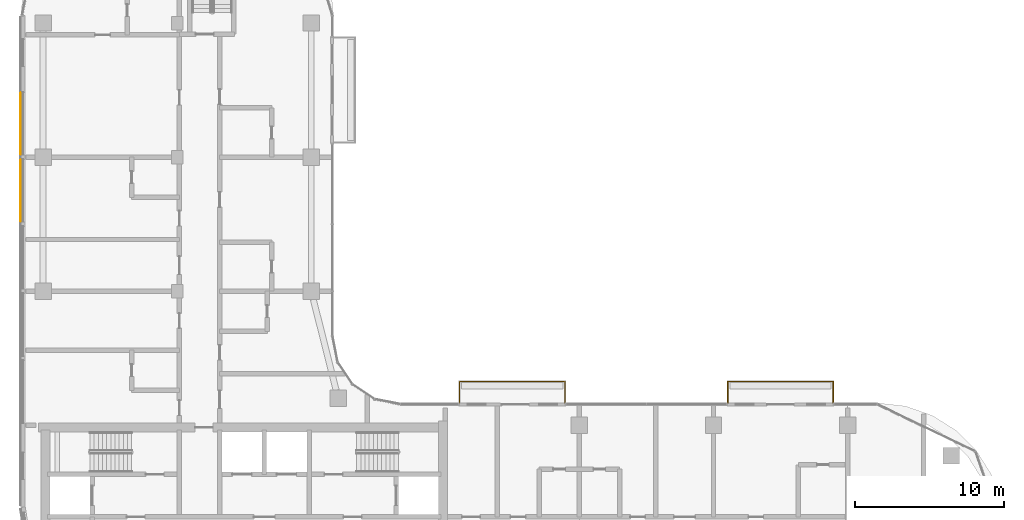
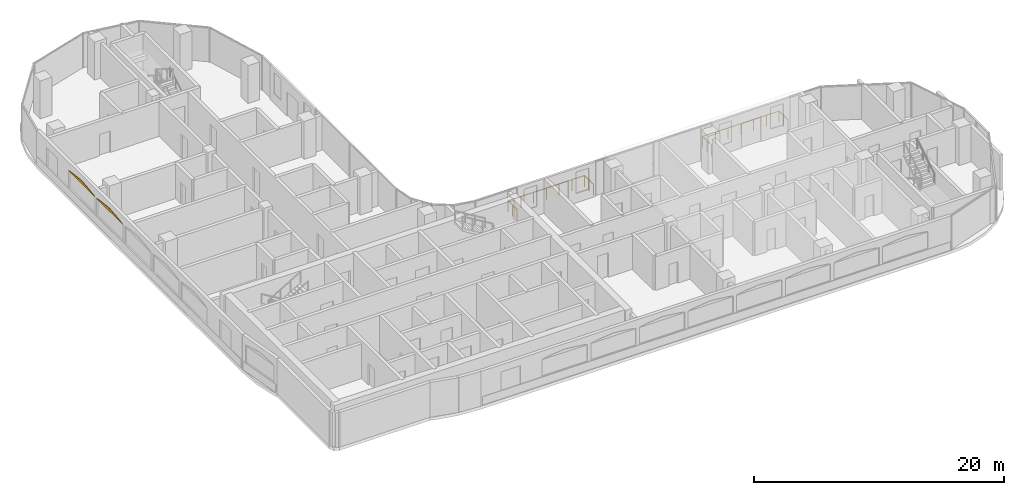
# One storey, part 21 of 22: 2 coverings, 2 railings.
"""IFC4 building model written with IfcOpenShell, lengths in metres."""

import ifcopenshell
import ifcopenshell.guid

model = None  # the IFC model being written
_history = None  # IfcOwnerHistory: only IFC2X3 demands one
_inside = {}  # id of a spatial element -> (the spatial element, [elements in it])
_under = {}  # id of a project, library or spatial element -> (it, [spatial elements below it])
_declared = {}  # id of a project -> (the project, [libraries it declares])
_typed = {}  # id of a type object -> (the type object, [elements of that type])
_made_of = {}  # id of a material, layer set ... -> (it, [elements and type objects made of it])


def new_model(schema):
    """Start an empty IFC model of exactly this schema.

    Asked for "IFC4X3", IfcOpenShell would pick the latest addendum, in which some entities
    have other attributes; the version numbers below select the first issue.
    IFC2X3 requires an IfcOwnerHistory on every rooted entity: one is made here for all.
    """
    global model, _history
    if schema == "IFC4X3":
        model = ifcopenshell.file(schema_version=(4, 3, 0, 0))
    else:
        model = ifcopenshell.file(schema=schema)
    _inside.clear()
    _under.clear()
    _declared.clear()
    _typed.clear()
    _made_of.clear()
    _history = None
    if model.schema == "IFC2X3":
        org = make("IfcOrganization", Name="unknown")
        user = make(
            "IfcPersonAndOrganization",
            ThePerson=make("IfcPerson", FamilyName="unknown"),
            TheOrganization=org,
        )
        app = make(
            "IfcApplication",
            ApplicationDeveloper=org,
            Version="unknown",
            ApplicationFullName="unknown",
            ApplicationIdentifier="unknown",
        )
        _history = make(
            "IfcOwnerHistory",
            OwningUser=user,
            OwningApplication=app,
            ChangeAction="ADDED",
            CreationDate=0,
        )
    return model


def make(cls, **values):
    """One entity of the class cls with the attributes given. An attribute that is None is left unset."""
    return model.create_entity(
        cls, **{name: value for name, value in values.items() if value is not None}
    )


def rooted(cls, **values):
    """An entity with a GlobalId (a new one), such as an element, a storey or a relation."""
    return make(cls, GlobalId=ifcopenshell.guid.new(), OwnerHistory=_history, **values)


def si_unit(unit_type, name, prefix=None):
    """IfcSIUnit, for example si_unit("LENGTHUNIT", "METRE", prefix="MILLI")."""
    return make("IfcSIUnit", UnitType=unit_type, Prefix=prefix, Name=name)


def assignment(units):
    """IfcUnitAssignment: the units of a project."""
    return None if units is None else make("IfcUnitAssignment", Units=units)


def point(xyz):
    """IfcCartesianPoint."""
    return None if xyz is None else make("IfcCartesianPoint", Coordinates=xyz)


def direction(xyz):
    """IfcDirection."""
    return None if xyz is None else make("IfcDirection", DirectionRatios=xyz)


def frame(location, z_axis=None, x_axis=None):
    """IfcAxis2Placement3D, a coordinate frame: its origin and axes. An axis left out is left unset."""
    return make(
        "IfcAxis2Placement3D",
        Location=point(location),
        Axis=direction(z_axis),
        RefDirection=direction(x_axis),
    )


def frame_2d(location, x_axis=None):
    """IfcAxis2Placement2D, a coordinate frame in the plane: its origin and x axis."""
    return make(
        "IfcAxis2Placement2D", Location=point(location), RefDirection=direction(x_axis)
    )


def origin():
    """The frame at (0, 0, 0) with its axes left unset."""
    return frame((0.0, 0.0, 0.0))


def origin_2d():
    """The frame at (0, 0) in the plane with its x axis left unset."""
    return frame_2d((0.0, 0.0))


def place(relative_to, where):
    """IfcLocalPlacement: puts the frame where relative to a parent placement (None: the world)."""
    return make(
        "IfcLocalPlacement", PlacementRelTo=relative_to, RelativePlacement=where
    )


def context(
    kind, dimensions, precision=None, world=None, true_north=None, identifier=None
):
    """IfcGeometricRepresentationContext, for example the 3D "Model" context."""
    return make(
        "IfcGeometricRepresentationContext",
        ContextIdentifier=identifier,
        ContextType=kind,
        CoordinateSpaceDimension=dimensions,
        Precision=precision,
        WorldCoordinateSystem=world,
        TrueNorth=true_north,
    )


def subcontext(parent, identifier, kind, view, scale=None):
    """IfcGeometricRepresentationSubContext, for example "Body" below "Model"."""
    return make(
        "IfcGeometricRepresentationSubContext",
        ContextIdentifier=identifier,
        ContextType=kind,
        ParentContext=parent,
        TargetScale=scale,
        TargetView=view,
    )


def project(units=None, contexts=None):
    """IfcProject with its units and contexts."""
    return rooted(
        "IfcProject",
        Name="project",
        RepresentationContexts=contexts,
        UnitsInContext=assignment(units),
    )


def spatial(cls, under=None, at=None, **own):
    """A site, building, storey or space (cls), placed at a placement, below another one or the project."""
    s = rooted(cls, ObjectPlacement=at, **own)
    if under is not None:
        _under.setdefault(under.id(), (under, []))[1].append(s)
    return s


def polyline(points):
    """IfcPolyline through the points."""
    return make("IfcPolyline", Points=[point(p) for p in points])


def profile(cls, at=None, kind="AREA", **sizes):
    """A parametric profile (cls). Its sizes go by their IFC names, for example OverallWidth=200.0."""
    return make(cls, ProfileType=kind, Position=at, **sizes)


def circle(**sizes):
    """IfcCircleProfileDef."""
    return profile("IfcCircleProfileDef", **sizes)


def outline(outer, holes=None, kind="AREA"):
    """IfcArbitraryClosedProfileDef: a profile drawn as a closed curve; with holes, ...WithVoids."""
    if holes is None:
        return make("IfcArbitraryClosedProfileDef", ProfileType=kind, OuterCurve=outer)
    return make(
        "IfcArbitraryProfileDefWithVoids",
        ProfileType=kind,
        OuterCurve=outer,
        InnerCurves=holes,
    )


def extrude(swept, where, along, depth):
    """IfcExtrudedAreaSolid: the profile swept, set in the frame where, extruded along a direction by depth."""
    return make(
        "IfcExtrudedAreaSolid",
        SweptArea=swept,
        Position=where,
        ExtrudedDirection=direction(along),
        Depth=depth,
    )


def shape(context_of_items, identifier, shape_type, items):
    """IfcShapeRepresentation: the items that make up one representation, for example the "Body"."""
    return make(
        "IfcShapeRepresentation",
        ContextOfItems=context_of_items,
        RepresentationIdentifier=identifier,
        RepresentationType=shape_type,
        Items=items,
    )


def material(Name=None, Category=None):
    """IfcMaterial."""
    return make("IfcMaterial", Name=Name, Category=Category)


def layer(
    of_material, thickness, ventilated=None, Name=None, Category=None, Priority=None
):
    """IfcMaterialLayer: one layer of a wall or slab, of a material (None: an air gap)."""
    return make(
        "IfcMaterialLayer",
        Material=of_material,
        LayerThickness=thickness,
        IsVentilated=ventilated,
        Name=Name,
        Category=Category,
        Priority=Priority,
    )


def layer_set(layers, Name=None):
    """IfcMaterialLayerSet."""
    return make("IfcMaterialLayerSet", MaterialLayers=layers, LayerSetName=Name)


def made_of(thing, what):
    """Note that an element or type object is made of a material, layer set ...; save() writes the relation."""
    if what is not None:
        _made_of.setdefault(what.id(), (what, []))[1].append(thing)
    return thing


def type_object(cls, material=None, **own):
    """A type object (cls), such as IfcWallType, which elements share."""
    return made_of(rooted(cls, **own), material)


def element(
    cls,
    number,
    at=None,
    inside=None,
    cuts=None,
    type_object=None,
    material=None,
    context=None,
    identifier="Body",
    shape_type=None,
    held_by="IfcProductDefinitionShape",
    body=None,
    shapes=None,
    **own,
):
    """One element of the class cls, such as IfcWall. Its Tag is "e" and its number.

    at: its placement. inside: the storey or other place that contains it. cuts: it is an
    opening in that element (IfcRelVoidsElement). A single representation is given by context,
    identifier, shape_type and body (its items); several are given by shapes. held_by: the class
    of the entity that holds the representations. save() writes the other relations.
    """
    e = rooted(cls, Tag="e%d" % number, ObjectPlacement=at, **own)
    if body is not None:
        shapes = [shape(context, identifier, shape_type, body)]
    if shapes is not None:
        e.Representation = make(held_by, Representations=shapes)
    if inside is not None:
        _inside.setdefault(inside.id(), (inside, []))[1].append(e)
    if cuts is not None:
        rooted(
            "IfcRelVoidsElement", RelatingBuildingElement=cuts, RelatedOpeningElement=e
        )
    if type_object is not None:
        _typed.setdefault(type_object.id(), (type_object, []))[1].append(e)
    return made_of(e, material)


def aggregate(whole, parts):
    """IfcRelAggregates: a whole, such as a stair, and the parts it consists of."""
    return rooted("IfcRelAggregates", RelatingObject=whole, RelatedObjects=parts)


def save(model, path):
    """Write the relations noted so far, then the file.

    IfcRelAggregates (storeys below a building ...), IfcRelContainedInSpatialStructure (elements
    in a storey), IfcRelDefinesByType, IfcRelAssociatesMaterial and IfcRelDeclares: one each for
    every whole, place, type object, material and project.
    """
    for whole, parts in _under.values():
        aggregate(whole, parts)
    for where, things in _inside.values():
        rooted(
            "IfcRelContainedInSpatialStructure",
            RelatedElements=things,
            RelatingStructure=where,
        )
    for kind, things in _typed.values():
        rooted("IfcRelDefinesByType", RelatedObjects=things, RelatingType=kind)
    for what, things in _made_of.values():
        rooted("IfcRelAssociatesMaterial", RelatedObjects=things, RelatingMaterial=what)
    for by, libraries in _declared.values():
        rooted("IfcRelDeclares", RelatingContext=by, RelatedDefinitions=libraries)
    model.write(path)


model = new_model("IFC4")

# Units and contexts
model_context = context("Model", 3, precision=1e-05, world=origin(), true_north=direction((0.0, 1.0)))
body_context = subcontext(model_context, "Body", "Model", "MODEL_VIEW")
ifc_project = project(units=[si_unit("LENGTHUNIT", "METRE"), si_unit("AREAUNIT", "SQUARE_METRE"), si_unit("VOLUMEUNIT", "CUBIC_METRE"), si_unit("PLANEANGLEUNIT", "RADIAN"), si_unit("MASSUNIT", "GRAM", prefix="KILO")], contexts=[model_context])

# Site, building, storey
site_placement = place(None, origin())
site = spatial("IfcSite", under=ifc_project, at=site_placement, CompositionType="ELEMENT")
building_placement = place(site_placement, origin())
building = spatial("IfcBuilding", under=site, at=building_placement, Name="Ogive Portal Towers", CompositionType="ELEMENT")
storey_placement = place(building_placement, frame((0.0, 0.0, 145.89990234375)))
storey = spatial("IfcBuildingStorey", under=building, at=storey_placement, Name="L35", CompositionType="ELEMENT", Elevation=145.89990234375)

# Railings
ifc_material_1 = material(Name="Steel S355", Category="steel")
railing_type = type_object("IfcRailingType", Name="BALUSTRADE GLASS 1100", PredefinedType="BALUSTRADE", material=ifc_material_1)
railing_1_placement = place(storey_placement, frame((59.4599609375, 41.0, 0.0)))
element("IfcRailing", 1, at=railing_1_placement, inside=storey, type_object=railing_type, Name="A:L35:bal:T1:rail", PredefinedType="BALUSTRADE", context=body_context, shape_type="SweptSolid", body=[
    extrude(circle(Radius=0.02392578125, at=origin_2d()), frame((0.0, 0.0, 1.076171875), z_axis=(0.0, 1.0, 0.0), x_axis=(-1.0, 0.0, 0.0)), (0.0, 0.0, 1.0), 1.43994140625),
    extrude(circle(Radius=0.02392578125, at=origin_2d()), frame((0.0, 1.43994140625, 1.076171875), z_axis=(1.0, 0.0, 0.0), x_axis=(0.0, 1.0, 0.0)), (0.0, 0.0, 1.0), 7.080078125),
    extrude(circle(Radius=0.02392578125, at=origin_2d()), frame((7.080078125, 1.43994140625, 1.076171875), z_axis=(0.0, -1.0, 0.0), x_axis=(1.0, 0.0, 0.0)), (0.0, 0.0, 1.0), 1.43994140625),
    extrude(circle(Radius=0.02099609375, at=origin_2d()), origin(), (0.0, 0.0, 1.0), 1.052001953125),
    extrude(circle(Radius=0.02099609375, at=origin_2d()), frame((0.0, 0.719970703125, 0.0)), (0.0, 0.0, 1.0), 1.052001953125),
    extrude(circle(Radius=0.02099609375, at=origin_2d()), frame((0.0, 1.43994140625, 0.0)), (0.0, 0.0, 1.0), 1.052001953125),
    extrude(circle(Radius=0.02099609375, at=origin_2d()), frame((1.179931640625, 1.43994140625, 0.0)), (0.0, 0.0, 1.0), 1.052001953125),
    extrude(circle(Radius=0.02099609375, at=origin_2d()), frame((2.360107421875, 1.43994140625, 0.0)), (0.0, 0.0, 1.0), 1.052001953125),
    extrude(circle(Radius=0.02099609375, at=origin_2d()), frame((3.5400390625, 1.43994140625, 0.0)), (0.0, 0.0, 1.0), 1.052001953125),
    extrude(circle(Radius=0.02099609375, at=origin_2d()), frame((4.719970703125, 1.43994140625, 0.0)), (0.0, 0.0, 1.0), 1.052001953125),
    extrude(circle(Radius=0.02099609375, at=origin_2d()), frame((5.900146484375, 1.43994140625, 0.0)), (0.0, 0.0, 1.0), 1.052001953125),
    extrude(circle(Radius=0.02099609375, at=origin_2d()), frame((7.080078125, 1.43994140625, 0.0)), (0.0, 0.0, 1.0), 1.052001953125),
    extrude(circle(Radius=0.02099609375, at=origin_2d()), frame((7.080078125, 0.719970703125, 0.0)), (0.0, 0.0, 1.0), 1.052001953125),
    extrude(circle(Radius=0.02099609375, at=origin_2d()), frame((7.080078125, 0.0, 0.0)), (0.0, 0.0, 1.0), 1.052001953125),
])
railing_2_placement = place(storey_placement, frame((77.4599609375, 41.0, 0.0)))
element("IfcRailing", 2, at=railing_2_placement, inside=storey, type_object=railing_type, Name="A:L35:bal:T3:rail", PredefinedType="BALUSTRADE", context=body_context, shape_type="SweptSolid", body=[
    extrude(circle(Radius=0.02392578125, at=origin_2d()), frame((0.0, 0.0, 1.076171875), z_axis=(0.0, 1.0, 0.0), x_axis=(-1.0, 0.0, 0.0)), (0.0, 0.0, 1.0), 1.43994140625),
    extrude(circle(Radius=0.02392578125, at=origin_2d()), frame((0.0, 1.43994140625, 1.076171875), z_axis=(1.0, 0.0, 0.0), x_axis=(0.0, 1.0, 0.0)), (0.0, 0.0, 1.0), 7.080078125),
    extrude(circle(Radius=0.02392578125, at=origin_2d()), frame((7.080078125, 1.43994140625, 1.076171875), z_axis=(0.0, -1.0, 0.0), x_axis=(1.0, 0.0, 0.0)), (0.0, 0.0, 1.0), 1.43994140625),
    extrude(circle(Radius=0.02099609375, at=origin_2d()), origin(), (0.0, 0.0, 1.0), 1.052001953125),
    extrude(circle(Radius=0.02099609375, at=origin_2d()), frame((0.0, 0.719970703125, 0.0)), (0.0, 0.0, 1.0), 1.052001953125),
    extrude(circle(Radius=0.02099609375, at=origin_2d()), frame((0.0, 1.43994140625, 0.0)), (0.0, 0.0, 1.0), 1.052001953125),
    extrude(circle(Radius=0.02099609375, at=origin_2d()), frame((1.179931640625, 1.43994140625, 0.0)), (0.0, 0.0, 1.0), 1.052001953125),
    extrude(circle(Radius=0.02099609375, at=origin_2d()), frame((2.360107421875, 1.43994140625, 0.0)), (0.0, 0.0, 1.0), 1.052001953125),
    extrude(circle(Radius=0.02099609375, at=origin_2d()), frame((3.5400390625, 1.43994140625, 0.0)), (0.0, 0.0, 1.0), 1.052001953125),
    extrude(circle(Radius=0.02099609375, at=origin_2d()), frame((4.719970703125, 1.43994140625, 0.0)), (0.0, 0.0, 1.0), 1.052001953125),
    extrude(circle(Radius=0.02099609375, at=origin_2d()), frame((5.900146484375, 1.43994140625, 0.0)), (0.0, 0.0, 1.0), 1.052001953125),
    extrude(circle(Radius=0.02099609375, at=origin_2d()), frame((7.080078125, 1.43994140625, 0.0)), (0.0, 0.0, 1.0), 1.052001953125),
    extrude(circle(Radius=0.02099609375, at=origin_2d()), frame((7.080078125, 0.719970703125, 0.0)), (0.0, 0.0, 1.0), 1.052001953125),
    extrude(circle(Radius=0.02099609375, at=origin_2d()), frame((7.080078125, 0.0, 0.0)), (0.0, 0.0, 1.0), 1.052001953125),
])

# Coverings
ifc_material_2 = material(Name="Limestone cladding on lightweight block wall", Category="masonry")
ifc_layer = layer(ifc_material_2, 0.0400390625)
ifc_layer_set = layer_set([ifc_layer], Name="LANCET HEAD STONE")
covering_type = type_object("IfcCoveringType", Name="LANCET HEAD STONE", PredefinedType="CLADDING", material=ifc_layer_set)
for number, where, z_axis, x_axis, name in (
    (3, (30.0, 61.85009765625, 2.60009765625), (0.999948944021, 0.0, 0.010104917167), (0.0, -1.0, 0.0), "Lancet head"),
    (4, (30.0, 57.35009765625, 2.60009765625), (0.999948944021, 0.0, 0.010104917167), (0.0, -1.0, 0.0), "Lancet head"),
):
    element("IfcCovering", number, at=place(storey_placement, frame(where, z_axis=z_axis, x_axis=x_axis)), inside=storey, type_object=covering_type, Name=name, PredefinedType="CLADDING", context=body_context, shape_type="SweptSolid", body=[
        extrude(outline(polyline([(0.0, 0.0), (4.2001953125, 0.0), (4.107177734375, -0.03760067070644378), (3.9375, -0.07495474623193346), (3.7177734375, -0.11255541693837724), (3.45751953125, -0.14990949246386692), (3.162353515625, -0.1875101631703107), (2.836181640625, -0.2251083668559618), (2.481201171875, -0.26246490940224415), (2.10009765625, -0.30006311308789524), (1.718994140625, -0.26246490940224415), (1.364013671875, -0.2251083668559618), (1.037841796875, -0.1875101631703107), (0.74267578125, -0.14990949246386692), (0.482421875, -0.11255541693837724), (0.2626953125, -0.07495474623193346), (0.093017578125, -0.03760067070644378), (0.0, 0.0)])), origin(), (0.0, 0.0, -1.0), 0.0400390625),
    ])

save(model, "model.ifc")
